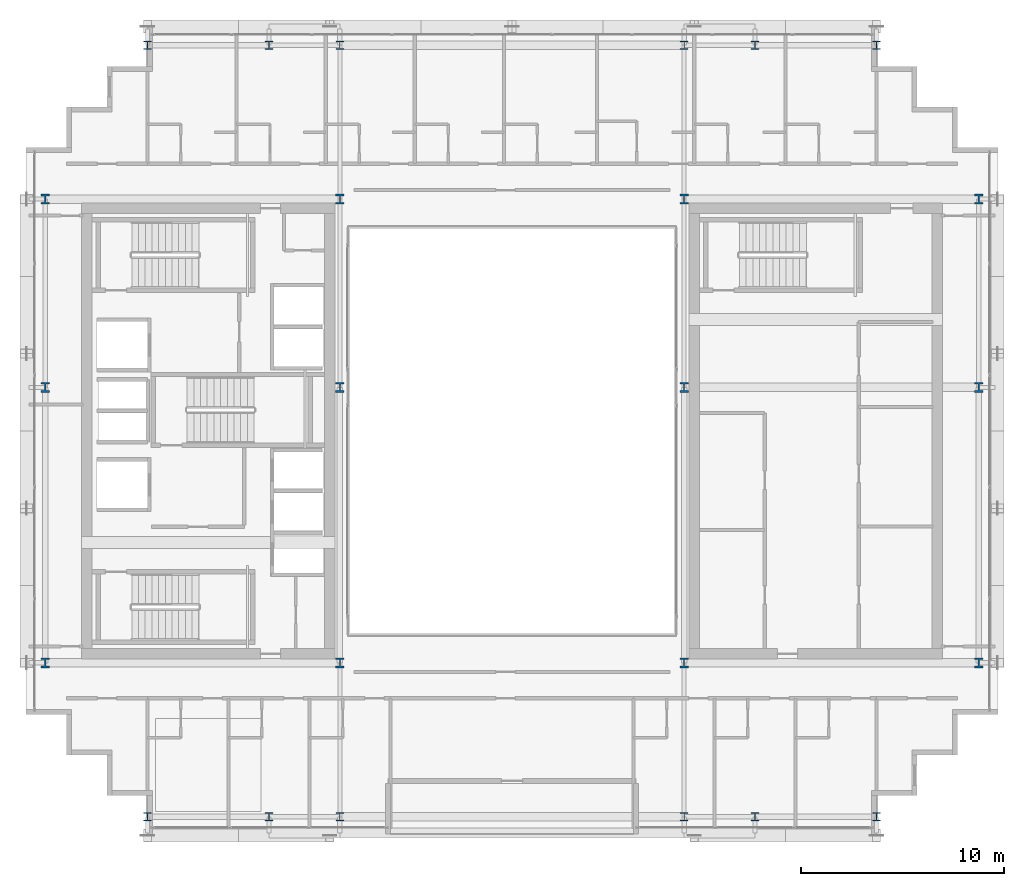
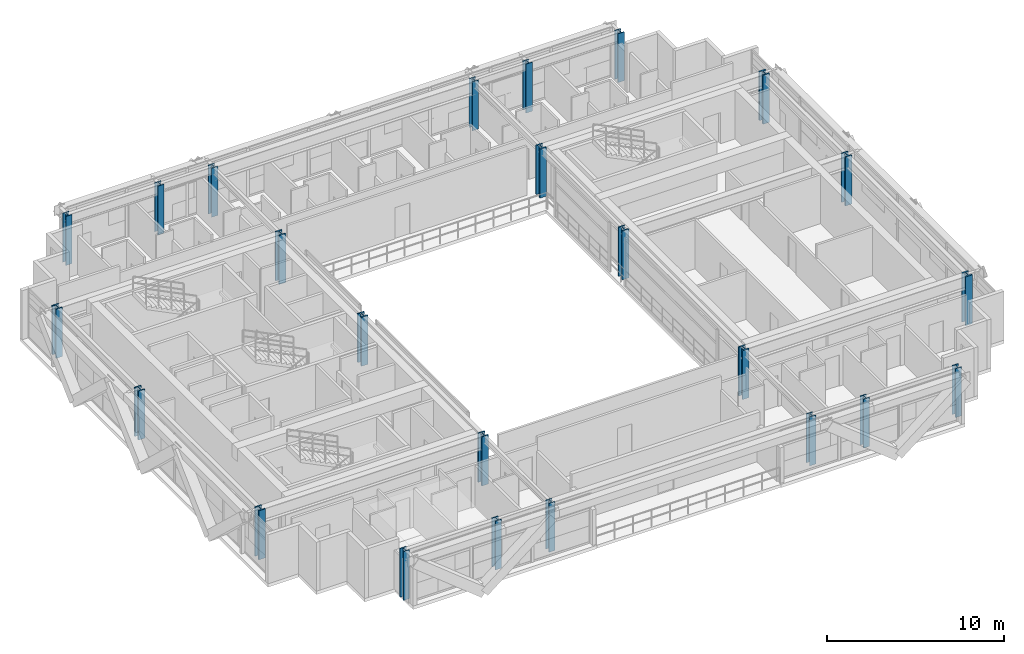
# One storey, part 1 of 38: 24 columns.
"""IFC4 building model written with IfcOpenShell, lengths in metres."""

from ifc_helpers import new_model, si_unit, direction, frame, origin, origin_2d, place, context, subcontext, project, spatial, i_section, extrude, source, transform, mapped, material, material_profile, profile_set, type_object, element, save


model = new_model("IFC4")

# Units and contexts
model_context = context("Model", 3, precision=1e-05, world=origin(), true_north=direction((0.0, 1.0)))
body_context = subcontext(model_context, "Body", "Model", "MODEL_VIEW")
ifc_project = project(units=[si_unit("LENGTHUNIT", "METRE"), si_unit("AREAUNIT", "SQUARE_METRE"), si_unit("VOLUMEUNIT", "CUBIC_METRE"), si_unit("PLANEANGLEUNIT", "RADIAN"), si_unit("MASSUNIT", "GRAM", prefix="KILO")], contexts=[model_context])

# Site, building, storey
site_placement = place(None, origin())
site = spatial("IfcSite", under=ifc_project, at=site_placement, CompositionType="ELEMENT")
building_placement = place(site_placement, origin())
building = spatial("IfcBuilding", under=site, at=building_placement, Name="Ocotamira Hotel", CompositionType="ELEMENT")
storey_placement = place(building_placement, frame((0.0, 0.0, 170.39990234375)))
storey = spatial("IfcBuildingStorey", under=building, at=storey_placement, Name="L42", CompositionType="ELEMENT", Elevation=170.39990234375)

# Columns
ifc_material = material(Name="Steel ASTM A913 Grade 65", Category="steel")
ifc_material_profile_1 = material_profile(ifc_material, i_section(OverallWidth=0.431884765625, OverallDepth=0.498046875, WebThickness=0.0556640625, FlangeThickness=0.0888671875, FilletRadius=0.02490234375, at=origin_2d()), Name="W14X500")
ifc_profile_set_1 = profile_set([ifc_material_profile_1], Name="Steel ASTM A913 Grade 65")
column_type_1 = type_object("IfcColumnType", Name="COL-W14X500", PredefinedType="COLUMN", material=ifc_profile_set_1)
shared_shape_1 = source(origin(), body_context, "Body", "SweptSolid", [
    extrude(i_section(OverallWidth=0.431884765625, OverallDepth=0.498046875, WebThickness=0.0556640625, FlangeThickness=0.0888671875, FilletRadius=0.02490234375, at=origin_2d()), origin(), (0.0, 0.0, 1.0), 3.3701171875),
])
for number, where, z_axis, x_axis, name in (
    (1, (8.949951171875, 14.550048828125, 0.0), (0.0, 0.0, 1.0), (1.0, 0.0, 0.0), "L42 Column TW8_14"),
    (2, (23.5, 14.550048828125, 0.0), (0.0, 0.0, 1.0), (1.0, 0.0, 0.0), "L42 Column TW23_14"),
    (3, (40.5, 14.550048828125, 0.0), (0.0, 0.0, 1.0), (1.0, 0.0, 0.0), "L42 Column TE40_14"),
    (4, (55.050048828125, 14.550048828125, 0.0), (0.0, 0.0, 1.0), (1.0, 0.0, 0.0), "L42 Column TE55_14"),
    (5, (8.949951171875, 28.14990234375, 0.0), (0.0, 0.0, 1.0), (1.0, 0.0, 0.0), "L42 Column TW8_28"),
    (6, (23.5, 28.14990234375, 0.0), (0.0, 0.0, 1.0), (1.0, 0.0, 0.0), "L42 Column TW23_28"),
    (7, (40.5, 28.14990234375, 0.0), (0.0, 0.0, 1.0), (1.0, 0.0, 0.0), "L42 Column TE40_28"),
    (8, (55.050048828125, 28.14990234375, 0.0), (0.0, 0.0, 1.0), (1.0, 0.0, 0.0), "L42 Column TE55_28"),
    (9, (8.949951171875, 37.449951171875, 0.0), (0.0, 0.0, 1.0), (1.0, 0.0, 0.0), "L42 Column TW8_37"),
    (10, (23.5, 37.449951171875, 0.0), (0.0, 0.0, 1.0), (1.0, 0.0, 0.0), "L42 Column TW23_37"),
    (11, (40.5, 37.449951171875, 0.0), (0.0, 0.0, 1.0), (1.0, 0.0, 0.0), "L42 Column TE40_37"),
    (12, (55.050048828125, 37.449951171875, 0.0), (0.0, 0.0, 1.0), (1.0, 0.0, 0.0), "L42 Column TE55_37"),
):
    element("IfcColumn", number, at=place(storey_placement, frame(where, z_axis=z_axis, x_axis=x_axis)), inside=storey, type_object=column_type_1, Name=name, PredefinedType="COLUMN", context=body_context, shape_type="MappedRepresentation", body=[
        mapped(shared_shape_1, transform((0.0, 0.0, 0.0), scale=1.0)),
    ])
ifc_material_profile_2 = material_profile(ifc_material, i_section(OverallWidth=0.404052734375, OverallDepth=0.406982421875, WebThickness=0.027099609375, FlangeThickness=0.043701171875, FilletRadius=0.02490234375, at=origin_2d()), Name="W14X233")
ifc_profile_set_2 = profile_set([ifc_material_profile_2], Name="Steel ASTM A913 Grade 65")
column_type_2 = type_object("IfcColumnType", Name="COL-W14X233", PredefinedType="COLUMN", material=ifc_profile_set_2)
shared_shape_2 = source(origin(), body_context, "Body", "SweptSolid", [
    extrude(i_section(OverallWidth=0.404052734375, OverallDepth=0.406982421875, WebThickness=0.027099609375, FlangeThickness=0.043701171875, FilletRadius=0.02490234375, at=origin_2d()), origin(), (0.0, 0.0, 1.0), 3.3701171875),
])
for number, where, z_axis, x_axis, name in (
    (13, (14.0, 6.949951171875, 0.0), (0.0, 0.0, 1.0), (1.0, 0.0, 0.0), "L42 Column NSP1_14"),
    (14, (20.0, 6.949951171875, 0.0), (0.0, 0.0, 1.0), (1.0, 0.0, 0.0), "L42 Column NSP1_20"),
    (15, (23.5, 6.949951171875, 0.0), (0.0, 0.0, 1.0), (1.0, 0.0, 0.0), "L42 Column NSP1_23"),
    (16, (40.5, 6.949951171875, 0.0), (0.0, 0.0, 1.0), (1.0, 0.0, 0.0), "L42 Column NSP1_40"),
    (17, (44.0, 6.949951171875, 0.0), (0.0, 0.0, 1.0), (1.0, 0.0, 0.0), "L42 Column NSP1_44"),
    (18, (50.0, 6.949951171875, 0.0), (0.0, 0.0, 1.0), (1.0, 0.0, 0.0), "L42 Column NSP1_50"),
    (19, (14.0, 45.050048828125, 0.0), (0.0, 0.0, 1.0), (1.0, 0.0, 0.0), "L42 Column NSP2_14"),
    (20, (20.0, 45.050048828125, 0.0), (0.0, 0.0, 1.0), (1.0, 0.0, 0.0), "L42 Column NSP2_20"),
    (21, (23.5, 45.050048828125, 0.0), (0.0, 0.0, 1.0), (1.0, 0.0, 0.0), "L42 Column NSP2_23"),
    (22, (40.5, 45.050048828125, 0.0), (0.0, 0.0, 1.0), (1.0, 0.0, 0.0), "L42 Column NSP2_40"),
    (23, (44.0, 45.050048828125, 0.0), (0.0, 0.0, 1.0), (1.0, 0.0, 0.0), "L42 Column NSP2_44"),
    (24, (50.0, 45.050048828125, 0.0), (0.0, 0.0, 1.0), (1.0, 0.0, 0.0), "L42 Column NSP2_50"),
):
    element("IfcColumn", number, at=place(storey_placement, frame(where, z_axis=z_axis, x_axis=x_axis)), inside=storey, type_object=column_type_2, Name=name, PredefinedType="COLUMN", context=body_context, shape_type="MappedRepresentation", body=[
        mapped(shared_shape_2, transform((0.0, 0.0, 0.0), scale=1.0)),
    ])

save(model, "model.ifc")
